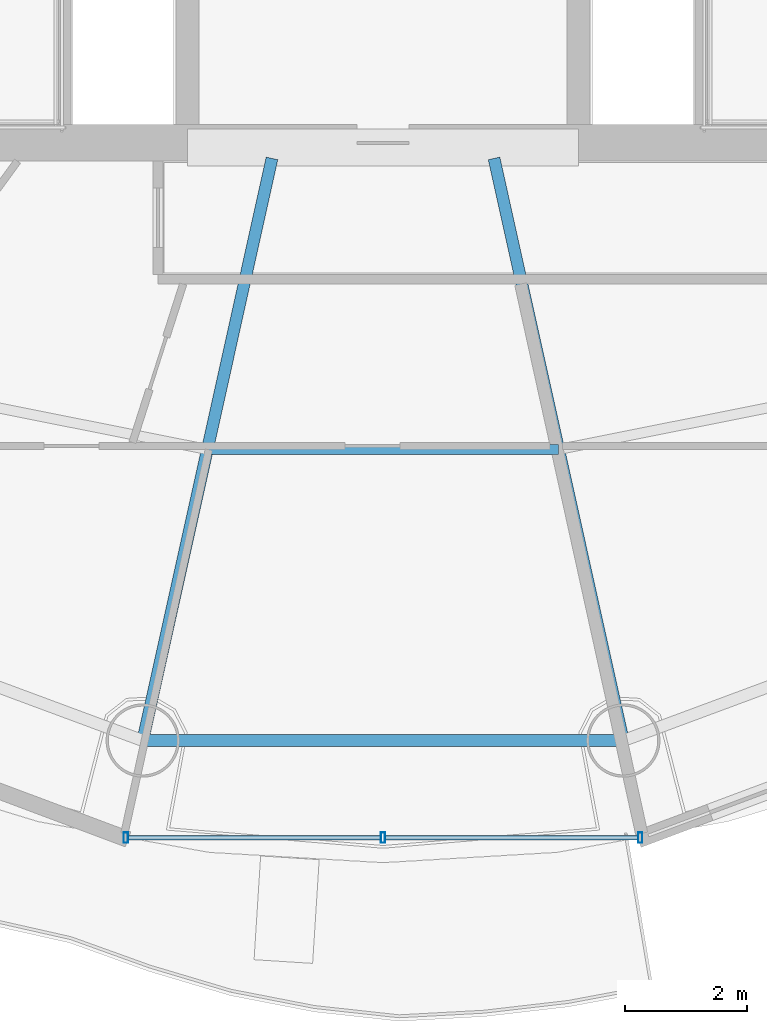
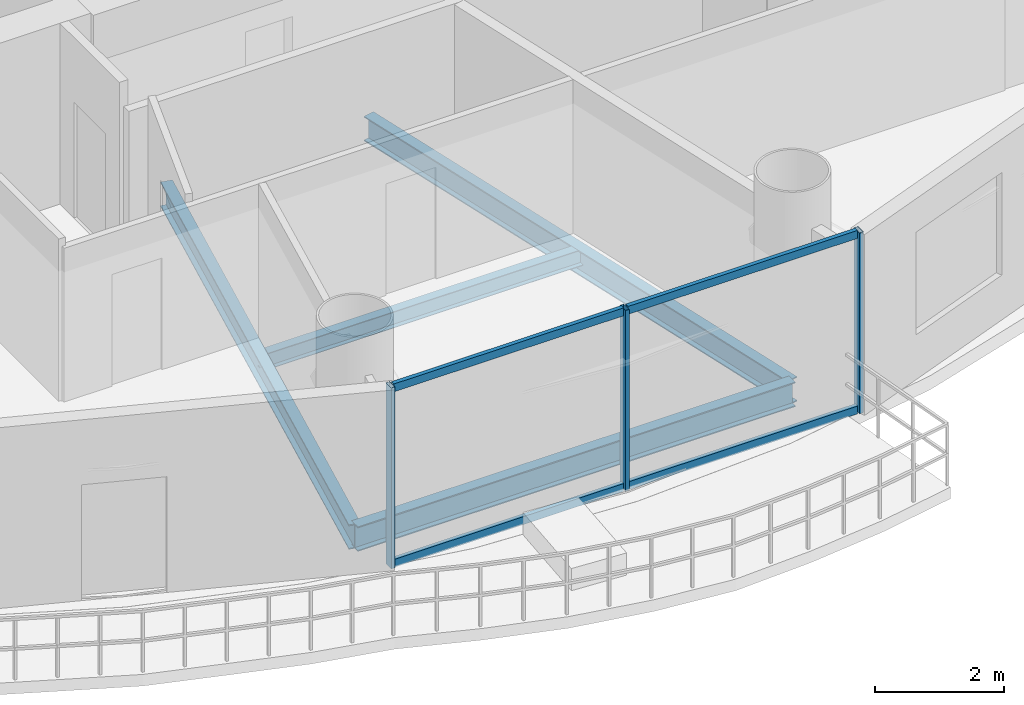
# One storey, part 5 of 27: 7 members, 4 beams, 1 element without a shape of its own.
"""IFC4 building model written with IfcOpenShell, lengths in metres."""

from ifc_helpers import new_model, si_unit, direction, frame, origin, origin_2d, place, context, subcontext, project, spatial, hollow_rectangle, i_section, extrude, source, transform, mapped, material, material_profile, profile_set, type_object, element, aggregate, save


model = new_model("IFC4")

# Units and contexts
model_context = context("Model", 3, precision=1e-05, world=origin(), true_north=direction((-0.2419218956, 0.970295726276)))
body_context = subcontext(model_context, "Body", "Model", "MODEL_VIEW")
ifc_project = project(units=[si_unit("LENGTHUNIT", "METRE"), si_unit("AREAUNIT", "SQUARE_METRE"), si_unit("VOLUMEUNIT", "CUBIC_METRE"), si_unit("PLANEANGLEUNIT", "RADIAN"), si_unit("MASSUNIT", "GRAM", prefix="KILO")], contexts=[model_context])

# Site, building, storey
site_placement = place(None, origin())
site = spatial("IfcSite", under=ifc_project, at=site_placement, CompositionType="ELEMENT")
building_placement = place(site_placement, origin())
building = spatial("IfcBuilding", under=site, at=building_placement, Name="Cobrevalo Terracotta Tower", CompositionType="ELEMENT")
storey_placement = place(building_placement, frame((0.0, 0.0, 198.60009765625)))
storey = spatial("IfcBuildingStorey", under=building, at=storey_placement, Name="L52", CompositionType="ELEMENT", Elevation=198.60009765625)

# Beams
ifc_material_1 = material(Name="Steel S355", Category="steel")
ifc_material_profile_1 = material_profile(ifc_material_1, i_section(OverallWidth=0.194091796875, OverallDepth=0.468994140625, WebThickness=0.011474609375, FlangeThickness=0.0205078125, at=origin_2d()), Name="W 460x106")
ifc_profile_set_1 = profile_set([ifc_material_profile_1], Name="Steel S355")
beam_type_1 = type_object("IfcBeamType", Name="Structural Beam W 460x106 (Steel S355)", PredefinedType="BEAM", material=ifc_profile_set_1)
for number, where, z_axis, x_axis, name in (
    (1, (34.06884765625, 9.096923828125, -0.49951171875), (0.216782061165, 0.976220025382, 0.0), (-0.976220025382, 0.216782061165, 0.0), "L52 radial floor girder 12"),
    (2, (41.93115234375, 9.096923828125, -0.49951171875), (-0.216782061165, 0.976220025382, 0.0), (-0.976220025382, -0.216782061165, 0.0), "L52 radial floor girder 13"),
):
    element("IfcBeam", number, at=place(storey_placement, frame(where, z_axis=z_axis, x_axis=x_axis)), inside=storey, type_object=beam_type_1, Name=name, PredefinedType="BEAM", context=body_context, shape_type="SweptSolid", body=[
        extrude(i_section(OverallWidth=0.194091796875, OverallDepth=0.468994140625, WebThickness=0.011474609375, FlangeThickness=0.0205078125, at=origin_2d()), origin(), (0.0, 0.0, 1.0), 9.755126953125),
    ])
ifc_material_profile_2 = material_profile(ifc_material_1, i_section(OverallWidth=0.1650390625, OverallDepth=0.31005859375, WebThickness=0.005859375, FlangeThickness=0.009765625, at=origin_2d()), Name="W 310x38.7")
ifc_profile_set_2 = profile_set([ifc_material_profile_2], Name="Steel S355")
beam_type_2 = type_object("IfcBeamType", Name="Structural Joist W 310x38.7 (Steel S355)", PredefinedType="JOIST", material=ifc_profile_set_2)
beam_1_placement = place(storey_placement, frame((35.126220703125, 13.8583984375, -0.420166015625), z_axis=(1.0, 0.0, 0.0), x_axis=(0.0, 1.0, 0.0)))
element("IfcBeam", 3, at=beam_1_placement, inside=storey, type_object=beam_type_2, Name="L52 circumferential secondary floor joist 12", PredefinedType="JOIST", context=body_context, shape_type="SweptSolid", body=[
    extrude(i_section(OverallWidth=0.1650390625, OverallDepth=0.31005859375, WebThickness=0.005859375, FlangeThickness=0.009765625, at=origin_2d()), origin(), (0.0, 0.0, 1.0), 5.74755859375),
])
ifc_material_profile_3 = material_profile(ifc_material_1, i_section(OverallWidth=0.194091796875, OverallDepth=0.468994140625, WebThickness=0.011474609375, FlangeThickness=0.0205078125, at=origin_2d()), Name="W 460x106")
ifc_profile_set_3 = profile_set([ifc_material_profile_3], Name="Steel S355")
beam_type_3 = type_object("IfcBeamType", Name="Structural Spandrel W 460x106 (Steel S355)", PredefinedType="SPANDREL", material=ifc_profile_set_3)
beam_2_placement = place(storey_placement, frame((34.06884765625, 9.096923828125, -0.49951171875), z_axis=(1.0, 0.0, 0.0), x_axis=(0.0, 1.0, 0.0)))
element("IfcBeam", 4, at=beam_2_placement, inside=storey, type_object=beam_type_3, Name="L52 perimeter ring spandrel 12", PredefinedType="SPANDREL", context=body_context, shape_type="SweptSolid", body=[
    extrude(i_section(OverallWidth=0.194091796875, OverallDepth=0.468994140625, WebThickness=0.011474609375, FlangeThickness=0.0205078125, at=origin_2d()), origin(), (0.0, 0.0, 1.0), 7.8623046875),
])

# Curtain wall, members
ifc_material_2 = material(Name="Anodized aluminium", Category="aluminium")
curtain_wall_type = type_object("IfcCurtainWallType", Name="Mid-tower high-wind unitised curtain wall CW-U2", PredefinedType="NOTDEFINED", material=ifc_material_2)
curtain_wall_placement = place(storey_placement, origin())
curtain_wall = element("IfcCurtainWall", 5, at=curtain_wall_placement, inside=storey, type_object=curtain_wall_type, Name="L52 curtain wall CW-L52-S12", PredefinedType="NOTDEFINED")
ifc_material_profile_4 = material_profile(ifc_material_2, hollow_rectangle(XDim=0.074951171875, YDim=0.14990234375, WallThickness=0.00439453125, at=origin_2d()), Name="CWT 75x150")
ifc_profile_set_4 = profile_set([ifc_material_profile_4], Name="Anodized aluminium")
member_type_1 = type_object("IfcMemberType", Name="Tower unitised aluminium transom 75x150", PredefinedType="USERDEFINED", material=ifc_profile_set_4)
shared_shape_1 = source(origin(), body_context, "Body", "SweptSolid", [
    extrude(hollow_rectangle(XDim=0.074951171875, YDim=0.14990234375, WallThickness=0.00439453125, at=origin_2d()), origin(), (0.0, 0.0, 1.0), 4.127197265625),
])
member_1_placement = place(storey_placement, frame((33.832763671875, 7.508056640625, 0.0498046875), z_axis=(1.0, 0.0, 0.0), x_axis=(0.0, 1.0, 0.0)))
member_1 = element("IfcMember", 6, at=member_1_placement, type_object=member_type_1, Name="CW-L52-S12 transom B01-T1", ObjectType="TRANSOM", PredefinedType="USERDEFINED", context=body_context, shape_type="MappedRepresentation", body=[
    mapped(shared_shape_1, transform((0.0, 0.0, 0.0), scale=1.0)),
])
member_2_placement = place(storey_placement, frame((33.832763671875, 7.508056640625, 3.385009765625), z_axis=(1.0, 0.0, 0.0), x_axis=(0.0, 1.0, 0.0)))
member_2 = element("IfcMember", 7, at=member_2_placement, type_object=member_type_1, Name="CW-L52-S12 transom B01-T2", ObjectType="TRANSOM", PredefinedType="USERDEFINED", context=body_context, shape_type="MappedRepresentation", body=[
    mapped(shared_shape_1, transform((0.0, 0.0, 0.0), scale=1.0)),
])
member_3_placement = place(storey_placement, frame((38.0400390625, 7.508056640625, 0.0498046875), z_axis=(1.0, 0.0, 0.0), x_axis=(0.0, 1.0, 0.0)))
member_3 = element("IfcMember", 8, at=member_3_placement, type_object=member_type_1, Name="CW-L52-S12 transom B02-T1", ObjectType="TRANSOM", PredefinedType="USERDEFINED", context=body_context, shape_type="MappedRepresentation", body=[
    mapped(shared_shape_1, transform((0.0, 0.0, 0.0), scale=1.0)),
])
member_4_placement = place(storey_placement, frame((38.0400390625, 7.508056640625, 3.385009765625), z_axis=(1.0, 0.0, 0.0), x_axis=(0.0, 1.0, 0.0)))
member_4 = element("IfcMember", 9, at=member_4_placement, type_object=member_type_1, Name="CW-L52-S12 transom B02-T2", ObjectType="TRANSOM", PredefinedType="USERDEFINED", context=body_context, shape_type="MappedRepresentation", body=[
    mapped(shared_shape_1, transform((0.0, 0.0, 0.0), scale=1.0)),
])
ifc_material_profile_5 = material_profile(ifc_material_2, hollow_rectangle(XDim=0.070068359375, YDim=0.169921875, WallThickness=0.00439453125, at=origin_2d()), Name="CWM 70x170")
ifc_profile_set_5 = profile_set([ifc_material_profile_5], Name="Anodized aluminium")
member_type_2 = type_object("IfcMemberType", Name="Upper tower unitised mullion 70x170", PredefinedType="MULLION", material=ifc_profile_set_5)
shared_shape_2 = source(origin(), body_context, "Body", "SweptSolid", [
    extrude(hollow_rectangle(XDim=0.070068359375, YDim=0.169921875, WallThickness=0.00439453125, at=origin_2d()), origin(), (0.0, 0.0, 1.0), 3.434814453125),
])
member_5_placement = place(storey_placement, frame((33.79296875, 7.508056640625, 0.0), z_axis=(0.0, 0.0, 1.0), x_axis=(1.0, 0.0, 0.0)))
member_5 = element("IfcMember", 10, at=member_5_placement, type_object=member_type_2, Name="CW-L52-S12 vertical mullion 01", PredefinedType="MULLION", context=body_context, shape_type="MappedRepresentation", body=[
    mapped(shared_shape_2, transform((0.0, 0.0, 0.0), scale=1.0)),
])
member_6_placement = place(storey_placement, frame((38.0, 7.508056640625, 0.0), z_axis=(0.0, 0.0, 1.0), x_axis=(1.0, 0.0, 0.0)))
member_6 = element("IfcMember", 11, at=member_6_placement, type_object=member_type_2, Name="CW-L52-S12 vertical mullion 02", PredefinedType="MULLION", context=body_context, shape_type="MappedRepresentation", body=[
    mapped(shared_shape_2, transform((0.0, 0.0, 0.0), scale=1.0)),
])
member_7_placement = place(storey_placement, frame((42.20703125, 7.508056640625, 0.0), z_axis=(0.0, 0.0, 1.0), x_axis=(1.0, 0.0, 0.0)))
member_7 = element("IfcMember", 12, at=member_7_placement, type_object=member_type_2, Name="CW-L52-S12 vertical mullion 03", PredefinedType="MULLION", context=body_context, shape_type="MappedRepresentation", body=[
    mapped(shared_shape_2, transform((0.0, 0.0, 0.0), scale=1.0)),
])
aggregate(curtain_wall, [member_5, member_6, member_7, member_1, member_2, member_3, member_4])

save(model, "model.ifc")
